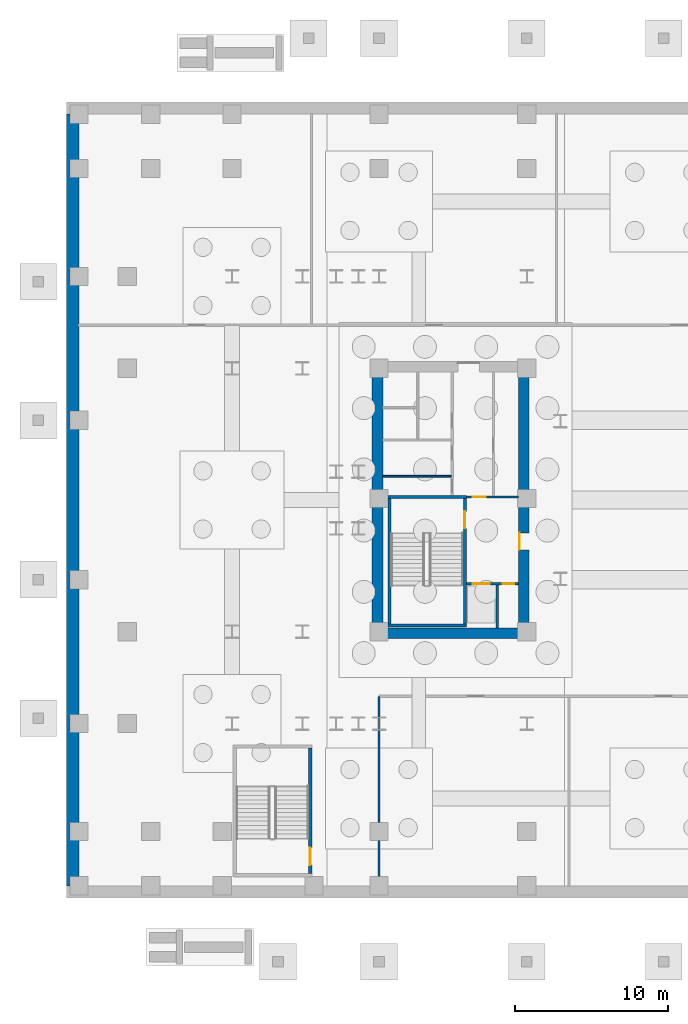
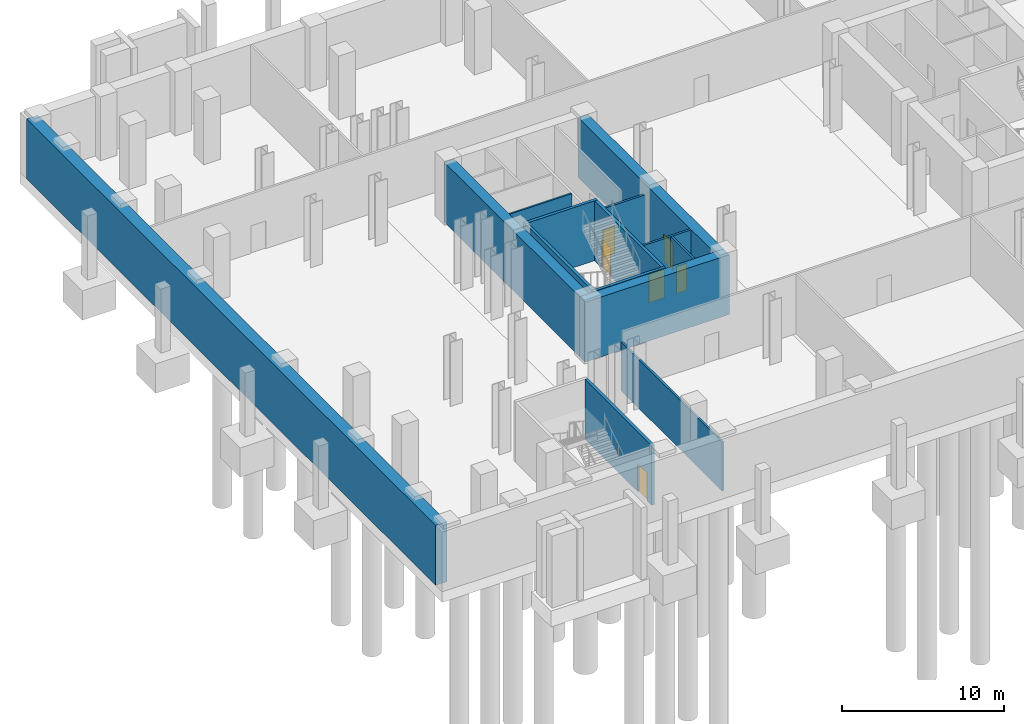
# One storey, part 3 of 10: 14 walls, 6 doors, 6 openings.
"""IFC4 building model written with IfcOpenShell, lengths in metres."""

from ifc_helpers import new_model, si_unit, direction, frame, frame_2d, origin, place, context, subcontext, project, spatial, rectangle, extrude, material, layer, layer_set, type_object, element, fill, save


model = new_model("IFC4")

# Units and contexts
model_context = context("Model", 3, precision=1e-05, world=origin(), true_north=direction((0.0, 1.0)))
body_context = subcontext(model_context, "Body", "Model", "MODEL_VIEW")
ifc_project = project(units=[si_unit("LENGTHUNIT", "METRE"), si_unit("AREAUNIT", "SQUARE_METRE"), si_unit("VOLUMEUNIT", "CUBIC_METRE"), si_unit("PLANEANGLEUNIT", "RADIAN"), si_unit("MASSUNIT", "GRAM", prefix="KILO")], contexts=[model_context])

# Site, building, storey
site_placement = place(None, origin())
site = spatial("IfcSite", under=ifc_project, at=site_placement, CompositionType="ELEMENT")
building_placement = place(site_placement, origin())
building = spatial("IfcBuilding", under=site, at=building_placement, Name="Velakula Bourse", CompositionType="ELEMENT")
storey_placement = place(building_placement, frame((0.0, 0.0, -9.60009765625)))
storey = spatial("IfcBuildingStorey", under=building, at=storey_placement, Name="B02", CompositionType="ELEMENT", Elevation=-9.60009765625)

# Wall, opening, door
ifc_material_1 = material(Name="Concrete M50 (fck 50 MPa)", Category="concrete")
ifc_layer_1 = layer(ifc_material_1, 0.2099609375, Name="Concrete M50 (fck 50 MPa)", Category="concrete")
ifc_layer_set_1 = layer_set([ifc_layer_1], Name="Concrete M50 (fck 50 MPa)")
wall_type_1 = type_object("IfcWallType", Name="WL-CORE-210", PredefinedType="SHEAR", material=ifc_layer_set_1)
wall_1_placement = place(storey_placement, frame((-12.9951171875, -8.10009765625, 0.0), z_axis=(0.0, 0.0, 1.0), x_axis=(0.0, 1.0, 0.0)))
wall_1 = element("IfcWall", 1, at=wall_1_placement, inside=storey, type_object=wall_type_1, Name="B02 Core W Stairwell Shear Wall IN", PredefinedType="SHEAR", context=body_context, shape_type="SweptSolid", body=[
    extrude(rectangle(XDim=8.2001953125, YDim=0.2099609375, at=frame_2d((4.10009765625, 0.0))), origin(), (0.0, 0.0, 1.0), 4.5),
])
opening_1_placement = place(wall_1_placement, frame((6.25, 0.0, 0.0)))
opening_1 = element("IfcOpeningElement", 2, at=opening_1_placement, cuts=wall_1, Name="Opening D-STW1", PredefinedType="OPENING", context=body_context, shape_type="SweptSolid", body=[
    extrude(rectangle(XDim=1.10009765625, YDim=2.14990234375, at=frame_2d((0.550048828125, 1.074951171875))), frame((0.0, 0.114990234375, 0.0), z_axis=(0.0, -1.0, 0.0), x_axis=(1.0, 0.0, 0.0)), (0.0, 0.0, 1.0), 0.22998046875),
])
ifc_material_2 = material(Name="Galvanised painted hollow steel fire door", Category="steel")
door_type_1 = type_object("IfcDoorType", Name="DR-FD120-1100x2150", OperationType="NOTDEFINED", PredefinedType="DOOR", material=ifc_material_2)
door_1_placement = place(opening_1_placement, origin())
door_1 = element("IfcDoor", 3, at=door_1_placement, inside=storey, type_object=door_type_1, Name="B02 Stair ST-W1 Fire Door", OperationType="SINGLE_SWING_LEFT", OverallHeight=2.14990234375, OverallWidth=1.10009765625, PredefinedType="DOOR", context=body_context, shape_type="SweptSolid", body=[
    extrude(rectangle(XDim=1.10009765625, YDim=2.14990234375, at=frame_2d((0.550048828125, 1.074951171875))), frame((0.0, 0.02490234375, 0.0), z_axis=(0.0, -1.0, 0.0), x_axis=(1.0, 0.0, 0.0)), (0.0, 0.0, 1.0), 0.050048828125),
])
fill(opening_1, door_1)

# Walls
wall_2_placement = place(storey_placement, frame((-17.925048828125, -8.10009765625, 0.0), z_axis=(0.0, 0.0, 1.0), x_axis=(0.0, 1.0, 0.0)))
element("IfcWall", 4, at=wall_2_placement, inside=storey, type_object=wall_type_1, Name="B02 Core W Stairwell Shear Wall OUT", PredefinedType="SHEAR", context=body_context, shape_type="SweptSolid", body=[
    extrude(rectangle(XDim=8.2001953125, YDim=0.2099609375, at=frame_2d((4.10009765625, 0.0))), origin(), (0.0, 0.0, 1.0), 4.5),
])
for number, where, z_axis, x_axis, name in (
    (5, (-18.030029296875, -8.205078125, 0.0), (0.0, 0.0, 1.0), (1.0, 0.0, 0.0), "B02 Core W Stairwell Shear Wall S"),
    (6, (-12.889892578125, 0.205078125, 0.0), (0.0, 0.0, 1.0), (-1.0, 0.0, 0.0), "B02 Core W Stairwell Shear Wall N"),
):
    element("IfcWall", number, at=place(storey_placement, frame(where, z_axis=z_axis, x_axis=x_axis)), inside=storey, type_object=wall_type_1, Name=name, PredefinedType="SHEAR", context=body_context, shape_type="SweptSolid", body=[
        extrude(rectangle(XDim=5.14013671875, YDim=0.2099609375, at=frame_2d((2.570068359375, 0.0))), origin(), (0.0, 0.0, 1.0), 4.5),
    ])

# Wall, opening, door
wall_3_placement = place(storey_placement, frame((-23.094970703125, -24.39990234375, 0.0), z_axis=(0.0, 0.0, 1.0), x_axis=(0.0, 1.0, 0.0)))
wall_3 = element("IfcWall", 7, at=wall_3_placement, inside=storey, type_object=wall_type_1, Name="B02 Podium Stair ST-P1 Shear Wall E", PredefinedType="SHEAR", context=body_context, shape_type="SweptSolid", body=[
    extrude(rectangle(XDim=8.199951171875, YDim=0.2099609375, at=frame_2d((4.10009765625, 0.0))), origin(), (0.0, 0.0, 1.0), 4.5),
])
opening_2_placement = place(wall_3_placement, frame((0.550048828125, 0.0, 0.0)))
opening_2 = element("IfcOpeningElement", 8, at=opening_2_placement, cuts=wall_3, Name="Opening D-P1", PredefinedType="OPENING", context=body_context, shape_type="SweptSolid", body=[
    extrude(rectangle(XDim=1.14990234375, YDim=2.10009765625, at=frame_2d((0.574951171875, 1.050048828125))), frame((0.0, 0.114990234375, 0.0), z_axis=(0.0, -1.0, 0.0), x_axis=(1.0, 0.0, 0.0)), (0.0, 0.0, 1.0), 0.22998046875),
])
door_type_2 = type_object("IfcDoorType", Name="DR-FD120-1150x2100", OperationType="NOTDEFINED", PredefinedType="DOOR", material=ifc_material_2)
door_2_placement = place(opening_2_placement, origin())
door_2 = element("IfcDoor", 9, at=door_2_placement, inside=storey, type_object=door_type_2, Name="B02 Stair ST-P1 Fire Door", OperationType="SINGLE_SWING_LEFT", OverallHeight=2.10009765625, OverallWidth=1.14990234375, PredefinedType="DOOR", context=body_context, shape_type="SweptSolid", body=[
    extrude(rectangle(XDim=1.14990234375, YDim=2.10009765625, at=frame_2d((0.574951171875, 1.050048828125))), frame((0.0, 0.02490234375, 0.0), z_axis=(0.0, -1.0, 0.0), x_axis=(1.0, 0.0, 0.0)), (0.0, 0.0, 1.0), 0.050048828125),
])
fill(opening_2, door_2)

# Walls
ifc_material_3 = material(Name="Concrete M70 (fck 70 MPa)", Category="concrete")
ifc_layer_2 = layer(ifc_material_3, 0.699951171875, Name="Concrete M70 (fck 70 MPa)", Category="concrete")
ifc_layer_set_2 = layer_set([ifc_layer_2], Name="Concrete M70 (fck 70 MPa)")
wall_type_2 = type_object("IfcWallType", Name="WL-CORE-700", PredefinedType="SHEAR", material=ifc_layer_set_2)
wall_4_placement = place(storey_placement, frame((-19.050048828125, -8.699951171875, 0.0), z_axis=(0.0, 0.0, 1.0), x_axis=(1.0, 0.0, 0.0)))
element("IfcWall", 10, at=wall_4_placement, inside=storey, type_object=wall_type_2, Name="B02 Core W Shear Wall S", PredefinedType="SHEAR", context=body_context, shape_type="SweptSolid", body=[
    extrude(rectangle(XDim=10.25, YDim=0.699951171875, at=frame_2d((5.125, 0.0))), origin(), (0.0, 0.0, 1.0), 4.5),
])
wall_5_placement = place(storey_placement, frame((-18.699951171875, -8.35009765625, 0.0), z_axis=(0.0, 0.0, 1.0), x_axis=(0.0, 1.0, 0.0)))
element("IfcWall", 11, at=wall_5_placement, inside=storey, type_object=wall_type_2, Name="B02 Core W Shear Wall W", PredefinedType="SHEAR", context=body_context, shape_type="SweptSolid", body=[
    extrude(rectangle(XDim=16.7001953125, YDim=0.699951171875, at=frame_2d((8.35009765625, 0.0))), origin(), (0.0, 0.0, 1.0), 4.5),
])

# Wall, opening, door
wall_6_placement = place(storey_placement, frame((-9.14990234375, -8.35009765625, 0.0), z_axis=(0.0, 0.0, 1.0), x_axis=(0.0, 1.0, 0.0)))
wall_6 = element("IfcWall", 12, at=wall_6_placement, inside=storey, type_object=wall_type_2, Name="B02 Core W Shear Wall E", PredefinedType="SHEAR", context=body_context, shape_type="SweptSolid", body=[
    extrude(rectangle(XDim=16.7001953125, YDim=0.699951171875, at=frame_2d((8.35009765625, 0.0))), origin(), (0.0, 0.0, 1.0), 4.5),
])
opening_3_placement = place(wall_6_placement, frame((5.10009765625, 0.0, 0.0)))
opening_3 = element("IfcOpeningElement", 13, at=opening_3_placement, cuts=wall_6, Name="Opening D-FLW", PredefinedType="OPENING", context=body_context, shape_type="SweptSolid", body=[
    extrude(rectangle(XDim=1.10009765625, YDim=2.080078125, at=frame_2d((0.550048828125, 1.0400390625))), frame((0.0, 0.35986328125, 0.0), z_axis=(0.0, -1.0, 0.0), x_axis=(1.0, 0.0, 0.0)), (0.0, 0.0, 1.0), 0.719970703125),
])
door_type_3 = type_object("IfcDoorType", Name="DR-FD120-1100", OperationType="NOTDEFINED", PredefinedType="DOOR", material=ifc_material_2)
door_3_placement = place(opening_3_placement, origin())
door_3 = element("IfcDoor", 14, at=door_3_placement, inside=storey, type_object=door_type_3, Name="B02 Firefighting Lobby W Corridor Fire Door", OperationType="SINGLE_SWING_LEFT", OverallHeight=2.080078125, OverallWidth=1.10009765625, PredefinedType="DOOR", context=body_context, shape_type="SweptSolid", body=[
    extrude(rectangle(XDim=1.10009765625, YDim=2.080078125, at=frame_2d((0.550048828125, 1.0400390625))), frame((0.0, 0.30517578125, 0.0), z_axis=(0.0, -1.0, 0.0), x_axis=(1.0, 0.0, 0.0)), (0.0, 0.0, 1.0), 0.050048828125),
])
fill(opening_3, door_3)

# Walls
ifc_material_4 = material(Name="Fire-rated double-layer gypsum drywall partition", Category="gypsum")
ifc_layer_3 = layer(ifc_material_4, 0.1201171875, Name="Fire-rated double-layer gypsum drywall partition", Category="gypsum")
ifc_layer_set_3 = layer_set([ifc_layer_3], Name="Fire-rated double-layer gypsum drywall partition")
wall_type_3 = type_object("IfcWallType", Name="WL-PART-120", PredefinedType="STANDARD", material=ifc_layer_set_3)
wall_7_placement = place(storey_placement, frame((-18.35009765625, 1.550048828125, 0.0), z_axis=(0.0, 0.0, 1.0), x_axis=(1.0, 0.0, 0.0)))
element("IfcWall", 15, at=wall_7_placement, inside=storey, type_object=wall_type_3, Name="B02 Interior Partition WL-CRW-B02-K1", PredefinedType="STANDARD", context=body_context, shape_type="SweptSolid", body=[
    extrude(rectangle(XDim=4.4501953125, YDim=0.1201171875, at=frame_2d((2.22509765625, 0.0))), origin(), (0.0, 0.0, 1.0), 4.47998046875),
])
ifc_layer_4 = layer(ifc_material_4, 0.139892578125, Name="Fire-rated double-layer gypsum drywall partition", Category="gypsum")
ifc_layer_set_4 = layer_set([ifc_layer_4], Name="Fire-rated double-layer gypsum drywall partition")
wall_type_4 = type_object("IfcWallType", Name="WL-PART-140", PredefinedType="STANDARD", material=ifc_layer_set_4)
wall_8_placement = place(storey_placement, frame((-18.60009765625, -25.239990234375, 0.0), z_axis=(0.0, 0.0, 1.0), x_axis=(0.0, 1.0, 0.0)))
element("IfcWall", 16, at=wall_8_placement, inside=storey, type_object=wall_type_4, Name="B02 Interior Partition WL-POD-B02-SW-END", PredefinedType="STANDARD", context=body_context, shape_type="SweptSolid", body=[
    extrude(rectangle(XDim=12.419921875, YDim=0.139892578125, at=frame_2d((6.2099609375, 0.0))), origin(), (0.0, 0.0, 1.0), 3.675048828125),
])
ifc_layer_5 = layer(ifc_material_3, 0.800048828125, Name="Concrete M70 (fck 70 MPa)", Category="concrete")
ifc_layer_set_5 = layer_set([ifc_layer_5], Name="Concrete M70 (fck 70 MPa)")
wall_type_5 = type_object("IfcWallType", Name="WL-RET-800", PredefinedType="SOLIDWALL", material=ifc_layer_set_5)
wall_9_placement = place(storey_placement, frame((-38.60009765625, -25.199951171875, 0.0), z_axis=(0.0, 0.0, 1.0), x_axis=(0.0, 1.0, 0.0)))
element("IfcWall", 17, at=wall_9_placement, inside=storey, type_object=wall_type_5, Name="B02 Diaphragm Retaining Wall W", PredefinedType="SOLIDWALL", context=body_context, shape_type="SweptSolid", body=[
    extrude(rectangle(XDim=50.39990234375, YDim=0.800048828125, at=frame_2d((25.199951171875, 0.0))), origin(), (0.0, 0.0, 1.0), 4.5),
])

# Wall, openings, doors
ifc_material_5 = material(Name="Autoclaved aerated concrete blockwork masonry", Category="masonry")
ifc_layer_6 = layer(ifc_material_5, 0.14990234375, Name="Autoclaved aerated concrete blockwork masonry", Category="masonry")
ifc_layer_set_6 = layer_set([ifc_layer_6], Name="Autoclaved aerated concrete blockwork masonry")
wall_type_6 = type_object("IfcWallType", Name="WL-SHAFT-150", PredefinedType="STANDARD", material=ifc_layer_set_6)
wall_10_placement = place(storey_placement, frame((-12.89501953125, -5.47509765625, 0.0), z_axis=(0.0, 0.0, 1.0), x_axis=(1.0, 0.0, 0.0)))
wall_10 = element("IfcWall", 18, at=wall_10_placement, inside=storey, type_object=wall_type_6, Name="B02 Interior Partition WL-CRW-B02-FFL-N", PredefinedType="STANDARD", context=body_context, shape_type="SweptSolid", body=[
    extrude(rectangle(XDim=3.39501953125, YDim=0.14990234375, at=frame_2d((1.697509765625, 0.0))), origin(), (0.0, 0.0, 1.0), 4.47998046875),
])
opening_4_placement = place(wall_10_placement, frame((0.419921875, 0.0, 0.0)))
opening_4 = element("IfcOpeningElement", 19, at=opening_4_placement, cuts=wall_10, Name="Opening LD-FFL-1", PredefinedType="OPENING", context=body_context, shape_type="SweptSolid", body=[
    extrude(rectangle(XDim=1.10009765625, YDim=2.14990234375, at=frame_2d((0.550048828125, 1.074951171875))), frame((0.0, 0.0849609375, 0.0), z_axis=(0.0, -1.0, 0.0), x_axis=(1.0, 0.0, 0.0)), (0.0, 0.0, 1.0), 0.169921875),
])
opening_5_placement = place(wall_10_placement, frame((2.3701171875, 0.0, 0.0)))
opening_5 = element("IfcOpeningElement", 20, at=opening_5_placement, cuts=wall_10, Name="Opening D-RS1", PredefinedType="OPENING", context=body_context, shape_type="SweptSolid", body=[
    extrude(rectangle(XDim=0.75, YDim=2.050048828125, at=frame_2d((0.375, 1.02490234375))), frame((0.0, 0.0849609375, 0.0), z_axis=(0.0, -1.0, 0.0), x_axis=(1.0, 0.0, 0.0)), (0.0, 0.0, 1.0), 0.169921875),
])
door_type_4 = type_object("IfcDoorType", Name="DR-RISER-800", OperationType="NOTDEFINED", PredefinedType="DOOR", material=ifc_material_2)
door_4_placement = place(opening_5_placement, origin())
door_4 = element("IfcDoor", 21, at=door_4_placement, inside=storey, type_object=door_type_4, Name="B02 Fire Riser Access Door", OperationType="SINGLE_SWING_LEFT", OverallHeight=2.050048828125, OverallWidth=0.75, PredefinedType="DOOR", context=body_context, shape_type="SweptSolid", body=[
    extrude(rectangle(XDim=0.75, YDim=2.050048828125, at=frame_2d((0.375, 1.02490234375))), frame((0.0, 0.02490234375, 0.0), z_axis=(0.0, -1.0, 0.0), x_axis=(1.0, 0.0, 0.0)), (0.0, 0.0, 1.0), 0.050048828125),
])
fill(opening_5, door_4)
ifc_material_6 = material(Name="Brushed grade 316 stainless steel", Category="steel")
door_type_5 = type_object("IfcDoorType", Name="DR-SLIDE-FFL-1100", OperationType="DOUBLE_DOOR_SLIDING", PredefinedType="DOOR", material=ifc_material_6)
door_5_placement = place(opening_4_placement, origin())
door_5 = element("IfcDoor", 22, at=door_5_placement, inside=storey, type_object=door_type_5, Name="B02 Firefighting Lift FFL-1 Sliding Landing Door", OperationType="DOUBLE_DOOR_SLIDING", OverallHeight=2.14990234375, OverallWidth=1.10009765625, PredefinedType="DOOR", context=body_context, shape_type="SweptSolid", body=[
    extrude(rectangle(XDim=1.10009765625, YDim=2.14990234375, at=frame_2d((0.550048828125, 1.074951171875))), frame((0.0, 0.02490234375, 0.0), z_axis=(0.0, -1.0, 0.0), x_axis=(1.0, 0.0, 0.0)), (0.0, 0.0, 1.0), 0.050048828125),
])
fill(opening_4, door_5)

# Wall
wall_11_placement = place(storey_placement, frame((-10.875, -8.35009765625, 0.0), z_axis=(0.0, 0.0, 1.0), x_axis=(0.0, 1.0, 0.0)))
element("IfcWall", 23, at=wall_11_placement, inside=storey, type_object=wall_type_6, Name="B02 Interior Partition WL-CRW-B02-FR-DIV", PredefinedType="STANDARD", context=body_context, shape_type="SweptSolid", body=[
    extrude(rectangle(XDim=2.800048828125, YDim=0.14990234375, at=frame_2d((1.39990234375, 0.0))), origin(), (0.0, 0.0, 1.0), 4.47998046875),
])

# Wall, opening, door
wall_12_placement = place(storey_placement, frame((-12.889892578125, 0.18994140625, 0.0), z_axis=(0.0, 0.0, 1.0), x_axis=(1.0, 0.0, 0.0)))
wall_12 = element("IfcWall", 24, at=wall_12_placement, inside=storey, type_object=wall_type_6, Name="B02 Interior Partition WL-CRW-B02-FF-TOP", PredefinedType="STANDARD", context=body_context, shape_type="SweptSolid", body=[
    extrude(rectangle(XDim=3.389892578125, YDim=0.14990234375, at=frame_2d((1.69482421875, 0.0))), origin(), (0.0, 0.0, 1.0), 3.675048828125),
])
opening_6_placement = place(wall_12_placement, frame((0.4150390625, 0.0, 0.0)))
opening_6 = element("IfcOpeningElement", 25, at=opening_6_placement, cuts=wall_12, Name="Opening D-FC1", PredefinedType="OPENING", context=body_context, shape_type="SweptSolid", body=[
    extrude(rectangle(XDim=0.85009765625, YDim=2.0400390625, at=frame_2d((0.425048828125, 1.02001953125))), frame((0.0, 0.0849609375, 0.0), z_axis=(0.0, -1.0, 0.0), x_axis=(1.0, 0.0, 0.0)), (0.0, 0.0, 1.0), 0.169921875),
])
door_type_6 = type_object("IfcDoorType", Name="DR-FD120-850", OperationType="NOTDEFINED", PredefinedType="DOOR", material=ifc_material_2)
door_6_placement = place(opening_6_placement, origin())
door_6 = element("IfcDoor", 26, at=door_6_placement, inside=storey, type_object=door_type_6, Name="B02 Firefighting Lobby Link Fire Door", OperationType="SINGLE_SWING_RIGHT", OverallHeight=2.0400390625, OverallWidth=0.85009765625, PredefinedType="DOOR", context=body_context, shape_type="SweptSolid", body=[
    extrude(rectangle(XDim=0.85009765625, YDim=2.0400390625, at=frame_2d((0.425048828125, 1.02001953125))), frame((0.0, 0.02490234375, 0.0), z_axis=(0.0, -1.0, 0.0), x_axis=(1.0, 0.0, 0.0)), (0.0, 0.0, 1.0), 0.050048828125),
])
fill(opening_6, door_6)

save(model, "model.ifc")
